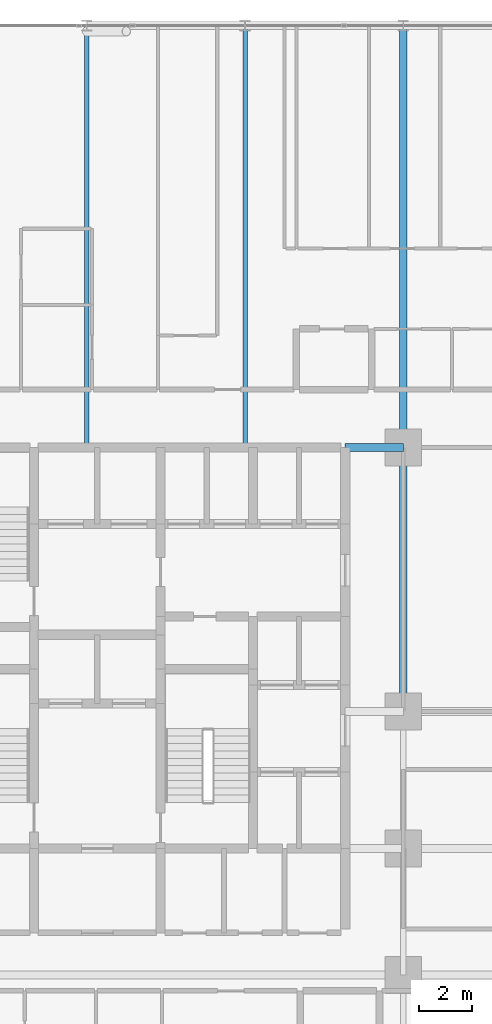
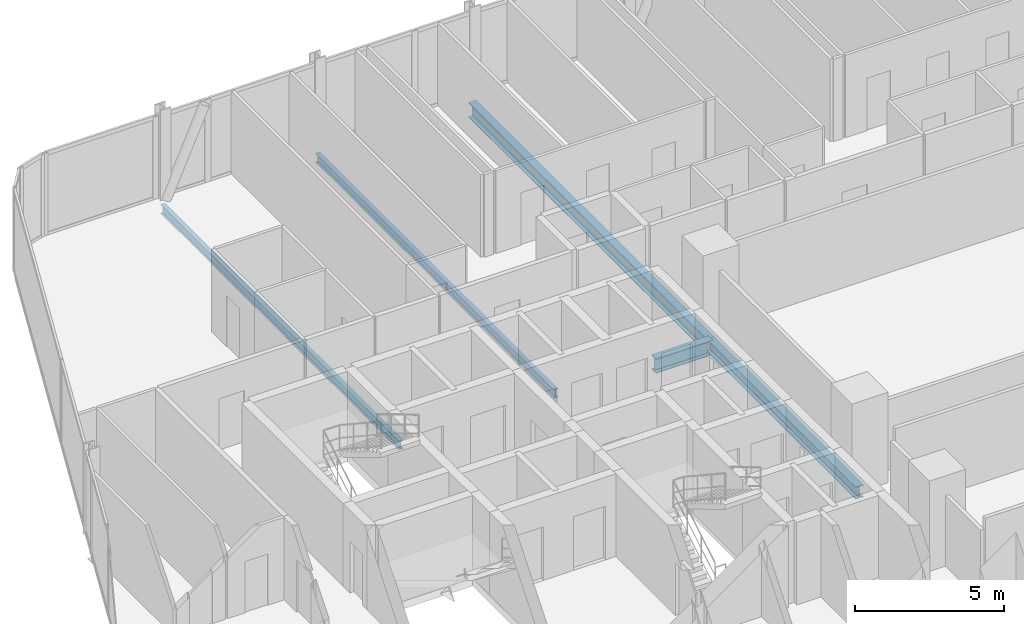
# One storey, part 12 of 33: 5 beams.
"""IFC4 building model written with IfcOpenShell, lengths in metres."""

from ifc_helpers import new_model, si_unit, direction, frame, origin, origin_2d, place, context, subcontext, project, spatial, i_section, extrude, material, material_profile, profile_set, type_object, element, save


model = new_model("IFC4")

# Units and contexts
model_context = context("Model", 3, precision=1e-05, world=origin(), true_north=direction((0.0, 1.0)))
body_context = subcontext(model_context, "Body", "Model", "MODEL_VIEW")
ifc_project = project(units=[si_unit("LENGTHUNIT", "METRE"), si_unit("AREAUNIT", "SQUARE_METRE"), si_unit("VOLUMEUNIT", "CUBIC_METRE"), si_unit("PLANEANGLEUNIT", "RADIAN"), si_unit("MASSUNIT", "GRAM", prefix="KILO")], contexts=[model_context])

# Site, building, storey
site_placement = place(None, origin())
site = spatial("IfcSite", under=ifc_project, at=site_placement, CompositionType="ELEMENT")
building_placement = place(site_placement, origin())
building = spatial("IfcBuilding", under=site, at=building_placement, Name="Keshet Zoharim Tower", CompositionType="ELEMENT")
storey_placement = place(building_placement, frame((0.0, 0.0, 27.699951171875)))
storey = spatial("IfcBuildingStorey", under=building, at=storey_placement, Name="L05", CompositionType="ELEMENT", Elevation=27.699951171875)

# Beams
ifc_material = material(Name="Steel S355", Category="steel")
ifc_material_profile_1 = material_profile(ifc_material, i_section(OverallWidth=0.300048828125, OverallDepth=0.60009765625, WebThickness=0.015380859375, FlangeThickness=0.030029296875, FilletRadius=0.027099609375, at=origin_2d()), Name="HEB600")
ifc_profile_set_1 = profile_set([ifc_material_profile_1], Name="Steel S355")
beam_type_1 = type_object("IfcBeamType", Name="BM-CLK-HB600", PredefinedType="BEAM", material=ifc_profile_set_1)
beam_1_placement = place(storey_placement, frame((30.800048828125, 37.89990234375, -0.614990234375), z_axis=(1.0, 0.0, 0.0), x_axis=(0.0, 1.0, 0.0)))
element("IfcBeam", 1, at=beam_1_placement, inside=storey, type_object=beam_type_1, Name="L05 Core Wall Link Girder 03", PredefinedType="BEAM", context=body_context, shape_type="SweptSolid", body=[
    extrude(i_section(OverallWidth=0.300048828125, OverallDepth=0.60009765625, WebThickness=0.015380859375, FlangeThickness=0.030029296875, FilletRadius=0.027099609375, at=origin_2d()), origin(), (0.0, 0.0, 1.0), 2.199951171875),
])
ifc_material_profile_2 = material_profile(ifc_material, i_section(OverallWidth=0.169921875, OverallDepth=0.360107421875, WebThickness=0.008056640625, FlangeThickness=0.0126953125, FilletRadius=0.01806640625, at=origin_2d()), Name="IPE360")
ifc_profile_set_2 = profile_set([ifc_material_profile_2], Name="Steel S355")
beam_type_2 = type_object("IfcBeamType", Name="BM-JST-IP360", PredefinedType="JOIST", material=ifc_profile_set_2)
for number, where, z_axis, x_axis, name in (
    (2, (21.0, 37.89990234375, -0.494873046875), (0.0, 1.0, 0.0), (-1.0, 0.0, 0.0), "L05 Secondary Floor Joist J-001"),
    (3, (27.0, 37.89990234375, -0.494873046875), (0.0, 1.0, 0.0), (-1.0, 0.0, 0.0), "L05 Secondary Floor Joist J-002"),
):
    element("IfcBeam", number, at=place(storey_placement, frame(where, z_axis=z_axis, x_axis=x_axis)), inside=storey, type_object=beam_type_2, Name=name, PredefinedType="JOIST", context=body_context, shape_type="SweptSolid", body=[
        extrude(i_section(OverallWidth=0.169921875, OverallDepth=0.360107421875, WebThickness=0.008056640625, FlangeThickness=0.0126953125, FilletRadius=0.01806640625, at=origin_2d()), origin(), (0.0, 0.0, 1.0), 16.0),
    ])
ifc_material_profile_3 = material_profile(ifc_material, i_section(OverallWidth=0.300048828125, OverallDepth=0.60009765625, WebThickness=0.015380859375, FlangeThickness=0.030029296875, FilletRadius=0.027099609375, at=origin_2d()), Name="HEB600")
ifc_profile_set_3 = profile_set([ifc_material_profile_3], Name="Steel S355")
beam_type_3 = type_object("IfcBeamType", Name="BM-LNG-HB600", PredefinedType="BEAM", material=ifc_profile_set_3)
beam_2_placement = place(storey_placement, frame((33.0, 37.89990234375, -0.614990234375), z_axis=(0.0, 1.0, 0.0), x_axis=(-1.0, 0.0, 0.0)))
element("IfcBeam", 4, at=beam_2_placement, inside=storey, type_object=beam_type_3, Name="L05 Primary Girder Y-011", PredefinedType="BEAM", context=body_context, shape_type="SweptSolid", body=[
    extrude(i_section(OverallWidth=0.300048828125, OverallDepth=0.60009765625, WebThickness=0.015380859375, FlangeThickness=0.030029296875, FilletRadius=0.027099609375, at=origin_2d()), origin(), (0.0, 0.0, 1.0), 16.0),
])
ifc_material_profile_4 = material_profile(ifc_material, i_section(OverallWidth=0.300048828125, OverallDepth=0.5, WebThickness=0.014404296875, FlangeThickness=0.028076171875, FilletRadius=0.027099609375, at=origin_2d()), Name="HEB500")
ifc_profile_set_4 = profile_set([ifc_material_profile_4], Name="Steel S355")
beam_type_4 = type_object("IfcBeamType", Name="BM-MED-HB500", PredefinedType="BEAM", material=ifc_profile_set_4)
beam_3_placement = place(storey_placement, frame((33.0, 27.89990234375, -0.56494140625), z_axis=(0.0, 1.0, 0.0), x_axis=(-1.0, 0.0, 0.0)))
element("IfcBeam", 5, at=beam_3_placement, inside=storey, type_object=beam_type_4, Name="L05 Primary Girder Y-010", PredefinedType="BEAM", context=body_context, shape_type="SweptSolid", body=[
    extrude(i_section(OverallWidth=0.300048828125, OverallDepth=0.5, WebThickness=0.014404296875, FlangeThickness=0.028076171875, FilletRadius=0.027099609375, at=origin_2d()), origin(), (0.0, 0.0, 1.0), 10.0),
])

save(model, "model.ifc")
